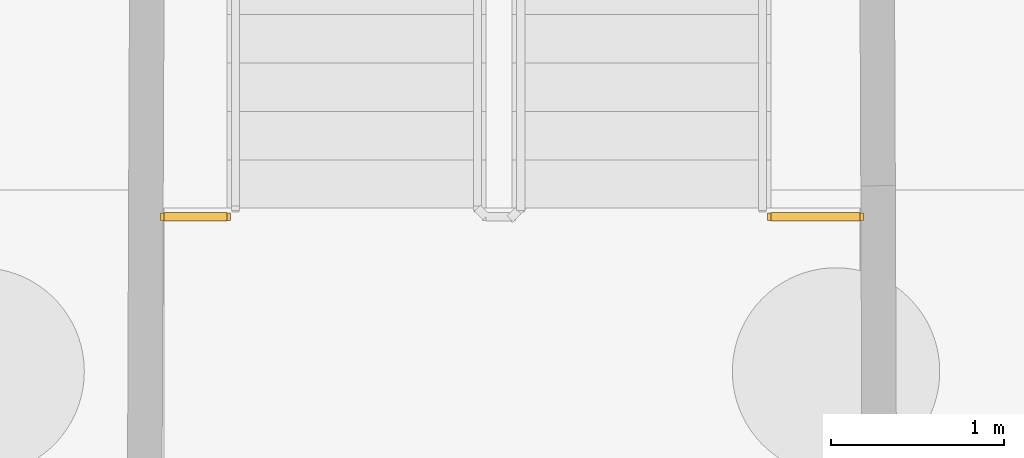
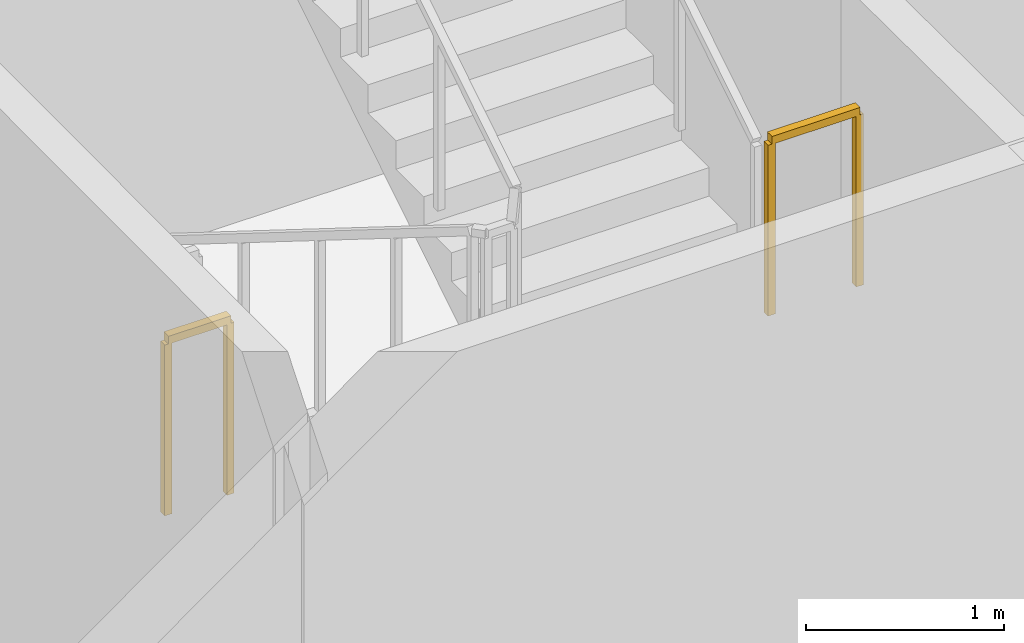
# One storey, part 20 of 22: 2 railings.
"""IFC4 building model written with IfcOpenShell, lengths in metres."""

from ifc_helpers import new_model, si_unit, direction, frame, origin, origin_2d, place, context, subcontext, project, spatial, rectangle, extrude, material, type_object, element, save


model = new_model("IFC4")

# Units and contexts
model_context = context("Model", 3, precision=1e-05, world=origin(), true_north=direction((0.0, 1.0)))
body_context = subcontext(model_context, "Body", "Model", "MODEL_VIEW")
ifc_project = project(units=[si_unit("LENGTHUNIT", "METRE"), si_unit("AREAUNIT", "SQUARE_METRE"), si_unit("VOLUMEUNIT", "CUBIC_METRE"), si_unit("PLANEANGLEUNIT", "RADIAN"), si_unit("MASSUNIT", "GRAM", prefix="KILO")], contexts=[model_context])

# Site, building, storey
site_placement = place(None, origin())
site = spatial("IfcSite", under=ifc_project, at=site_placement, CompositionType="ELEMENT")
building_placement = place(site_placement, origin())
building = spatial("IfcBuilding", under=site, at=building_placement, Name="Vermilion Ogive Tower", CompositionType="ELEMENT")
storey_placement = place(building_placement, frame((0.0, 0.0, -8.39990234375)))
storey = spatial("IfcBuildingStorey", under=building, at=storey_placement, Name="B2", CompositionType="ELEMENT", Elevation=-8.39990234375)

# Railings
ifc_material = material(Name="Steel S355 painted", Category="steel")
railing_type = type_object("IfcRailingType", Name="Stair guard 1100", PredefinedType="GUARDRAIL", material=ifc_material)
railing_1_placement = place(storey_placement, frame((44.787353515625, 23.6201171875, 2.099853515625)))
element("IfcRailing", 1, at=railing_1_placement, inside=storey, type_object=railing_type, Name="B2 landing guard", PredefinedType="GUARDRAIL", context=body_context, shape_type="SweptSolid", body=[
    extrude(rectangle(XDim=0.048095703125, YDim=0.048095703125, at=origin_2d()), frame((0.0, 0.0, 1.076171875), z_axis=(1.0, 0.0, 0.0), x_axis=(0.0, 1.0, 0.0)), (0.0, 0.0, 1.0), 0.362548828125),
    extrude(rectangle(XDim=0.0419921875, YDim=0.0419921875, at=origin_2d()), origin(), (0.0, 0.0, 1.0), 1.052001953125),
    extrude(rectangle(XDim=0.0419921875, YDim=0.0419921875, at=origin_2d()), frame((0.362548828125, 0.0, 0.0)), (0.0, 0.0, 1.0), 1.052001953125),
])
railing_2_placement = place(storey_placement, frame((48.300048828125, 23.6201171875, 2.099853515625)))
element("IfcRailing", 2, at=railing_2_placement, inside=storey, type_object=railing_type, Name="B2 landing guard", PredefinedType="GUARDRAIL", context=body_context, shape_type="SweptSolid", body=[
    extrude(rectangle(XDim=0.048095703125, YDim=0.048095703125, at=origin_2d()), frame((0.0, 0.0, 1.076171875), z_axis=(1.0, 0.0, 0.0), x_axis=(0.0, 1.0, 0.0)), (0.0, 0.0, 1.0), 0.512451171875),
    extrude(rectangle(XDim=0.0419921875, YDim=0.0419921875, at=origin_2d()), origin(), (0.0, 0.0, 1.0), 1.052001953125),
    extrude(rectangle(XDim=0.0419921875, YDim=0.0419921875, at=origin_2d()), frame((0.512451171875, 0.0, 0.0)), (0.0, 0.0, 1.0), 1.052001953125),
])

save(model, "model.ifc")
